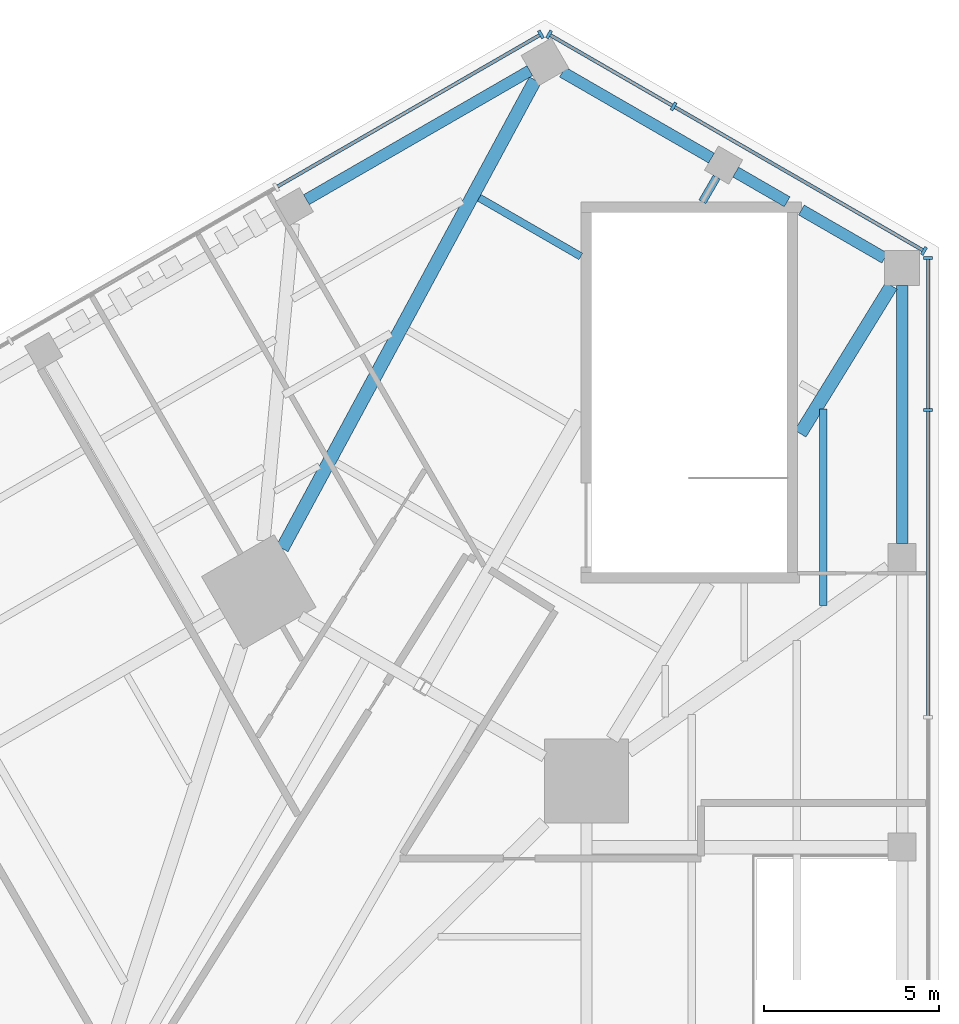
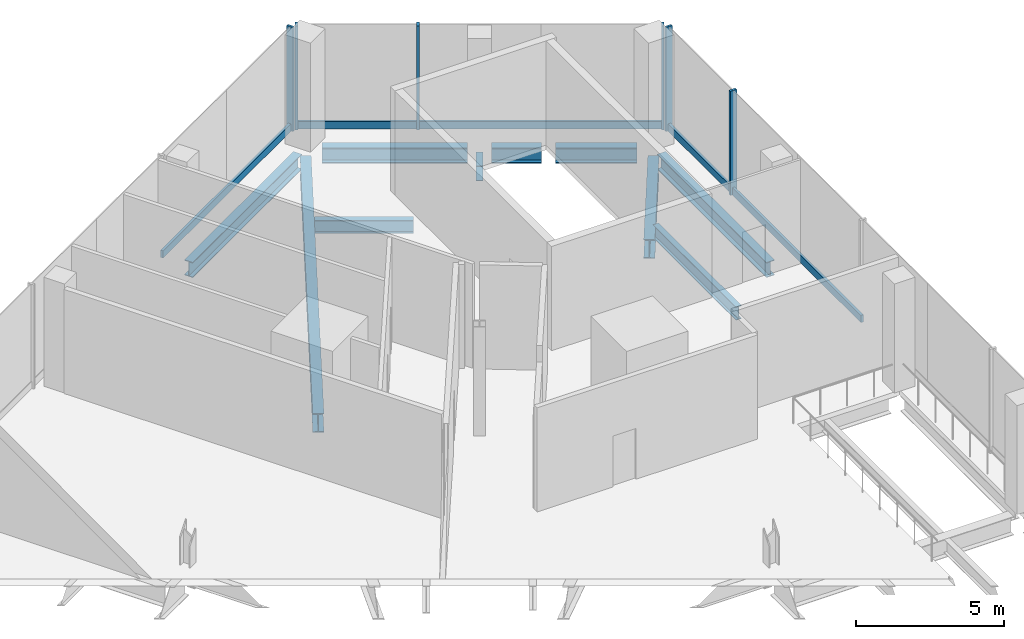
# One storey, part 15 of 25: 11 members, 10 beams, 3 elements without a shape of their own.
"""IFC4 building model written with IfcOpenShell, lengths in metres."""

from ifc_helpers import new_model, si_unit, direction, frame, origin, origin_2d, place, context, subcontext, project, spatial, rectangle, i_section, extrude, source, transform, mapped, material, material_profile, profile_set, type_object, element, aggregate, save


model = new_model("IFC4")

# Units and contexts
model_context = context("Model", 3, precision=1e-05, world=origin(), true_north=direction((0.0, 1.0)))
body_context = subcontext(model_context, "Body", "Model", "MODEL_VIEW")
ifc_project = project(units=[si_unit("LENGTHUNIT", "METRE"), si_unit("AREAUNIT", "SQUARE_METRE"), si_unit("VOLUMEUNIT", "CUBIC_METRE"), si_unit("PLANEANGLEUNIT", "RADIAN"), si_unit("MASSUNIT", "GRAM", prefix="KILO")], contexts=[model_context])

# Site, building, storey
site_placement = place(None, origin())
site = spatial("IfcSite", under=ifc_project, at=site_placement, CompositionType="ELEMENT")
building_placement = place(site_placement, origin())
building = spatial("IfcBuilding", under=site, at=building_placement, Name="Triune Harvest Tower", CompositionType="ELEMENT")
storey_placement = place(building_placement, frame((0.0, 0.0, 11.5)))
storey = spatial("IfcBuildingStorey", under=building, at=storey_placement, Name="L02", CompositionType="ELEMENT", Elevation=11.5)

# Beams
ifc_material_1 = material(Name="Steel ASTM A992 Gr 50", Category="steel")
ifc_material_profile_1 = material_profile(ifc_material_1, i_section(OverallWidth=0.32763671875, OverallDepth=0.62744140625, WebThickness=0.0166015625, FlangeThickness=0.027587890625, at=origin_2d()), Name="W24x146")
ifc_profile_set_1 = profile_set([ifc_material_profile_1], Name="Steel ASTM A992 Gr 50")
beam_type_1 = type_object("IfcBeamType", Name="PD-4 Podium edge beam W24x146", PredefinedType="BEAM", material=ifc_profile_set_1)
shared_shape_1 = source(origin(), body_context, "Body", "SweptSolid", [
    extrude(i_section(OverallWidth=0.32763671875, OverallDepth=0.62744140625, WebThickness=0.0166015625, FlangeThickness=0.027587890625, at=origin_2d()), origin(), (0.0, 0.0, 1.0), 7.3798828125),
])
beam_1_placement = place(storey_placement, frame((30.715087890625, 33.52001953125, -0.513671875), z_axis=(0.0, 1.0, 0.0), x_axis=(-1.0, 0.0, 0.0)))
element("IfcBeam", 1, at=beam_1_placement, inside=storey, type_object=beam_type_1, Name="beam/L02/PE10", PredefinedType="BEAM", context=body_context, shape_type="MappedRepresentation", body=[
    mapped(shared_shape_1, transform((0.0, 0.0, 0.0), scale=1.0)),
])
shared_shape_2 = source(origin(), body_context, "Body", "SweptSolid", [
    extrude(i_section(OverallWidth=0.32763671875, OverallDepth=0.62744140625, WebThickness=0.0166015625, FlangeThickness=0.027587890625, at=origin_2d()), origin(), (0.0, 0.0, 1.0), 2.75390625),
])
beam_2_placement = place(storey_placement, frame((30.215087890625, 41.688720703125, -0.513671875), z_axis=(-0.866030577522, 0.499991038717, 0.0), x_axis=(-0.499991038717, -0.866030577522, 0.0)))
element("IfcBeam", 2, at=beam_2_placement, inside=storey, type_object=beam_type_1, Name="beam/L02/PE11", PredefinedType="BEAM", context=body_context, shape_type="MappedRepresentation", body=[
    mapped(shared_shape_2, transform((0.0, 0.0, 0.0), scale=1.0)),
])
shared_shape_3 = source(origin(), body_context, "Body", "SweptSolid", [
    extrude(i_section(OverallWidth=0.32763671875, OverallDepth=0.62744140625, WebThickness=0.0166015625, FlangeThickness=0.027587890625, at=origin_2d()), origin(), (0.0, 0.0, 1.0), 1.699951171875),
])
beam_3_placement = place(storey_placement, frame((27.42431640625, 43.300048828125, -0.513671875), z_axis=(-0.866087547558, 0.499892348375, 0.0), x_axis=(-0.499892348375, -0.866087547558, 0.0)))
element("IfcBeam", 3, at=beam_3_placement, inside=storey, type_object=beam_type_1, Name="beam/L02/PE12", PredefinedType="BEAM", context=body_context, shape_type="MappedRepresentation", body=[
    mapped(shared_shape_3, transform((0.0, 0.0, 0.0), scale=1.0)),
])
shared_shape_4 = source(origin(), body_context, "Body", "SweptSolid", [
    extrude(i_section(OverallWidth=0.32763671875, OverallDepth=0.62744140625, WebThickness=0.0166015625, FlangeThickness=0.027587890625, at=origin_2d()), origin(), (0.0, 0.0, 1.0), 4.922607421875),
])
beam_4_placement = place(storey_placement, frame((25.259033203125, 44.550048828125, -0.513671875), z_axis=(-0.866040230151, 0.499974319101, 0.0), x_axis=(-0.499974319101, -0.866040230151, 0.0)))
element("IfcBeam", 4, at=beam_4_placement, inside=storey, type_object=beam_type_1, Name="beam/L02/PE13", PredefinedType="BEAM", context=body_context, shape_type="MappedRepresentation", body=[
    mapped(shared_shape_4, transform((0.0, 0.0, 0.0), scale=1.0)),
])
shared_shape_5 = source(origin(), body_context, "Body", "SweptSolid", [
    extrude(i_section(OverallWidth=0.32763671875, OverallDepth=0.62744140625, WebThickness=0.0166015625, FlangeThickness=0.027587890625, at=origin_2d()), origin(), (0.0, 0.0, 1.0), 7.380126953125),
])
beam_5_placement = place(storey_placement, frame((20.06298828125, 47.050048828125, -0.513671875), z_axis=(-0.866031888401, -0.499988768146, 0.0), x_axis=(0.499988768146, -0.866031888401, 0.0)))
element("IfcBeam", 5, at=beam_5_placement, inside=storey, type_object=beam_type_1, Name="beam/L02/PE14", PredefinedType="BEAM", context=body_context, shape_type="MappedRepresentation", body=[
    mapped(shared_shape_5, transform((0.0, 0.0, 0.0), scale=1.0)),
])
ifc_material_2 = material(Name="Steel ASTM A992 Gr 50", Category="steel")
ifc_material_profile_2 = material_profile(ifc_material_2, i_section(OverallWidth=0.381103515625, OverallDepth=0.772216796875, WebThickness=0.0166015625, FlangeThickness=0.027099609375, at=origin_2d()), Name="W30x173")
ifc_profile_set_2 = profile_set([ifc_material_profile_2], Name="Steel ASTM A992 Gr 50")
beam_type_2 = type_object("IfcBeamType", Name="PD-3 Podium girder W30x173", PredefinedType="BEAM", material=ifc_profile_set_2)
shared_shape_6 = source(origin(), body_context, "Body", "SweptSolid", [
    extrude(i_section(OverallWidth=0.381103515625, OverallDepth=0.772216796875, WebThickness=0.0166015625, FlangeThickness=0.027099609375, at=origin_2d()), origin(), (0.0, 0.0, 1.0), 4.97119140625),
])
beam_6_placement = place(storey_placement, frame((30.406982421875, 40.89990234375, -0.586181640625), z_axis=(-0.524420727845, -0.851459276892, 0.0), x_axis=(0.851459276892, -0.524420727845, 0.0)))
element("IfcBeam", 6, at=beam_6_placement, inside=storey, type_object=beam_type_2, Name="beam/L02/PR12", PredefinedType="BEAM", context=body_context, shape_type="MappedRepresentation", body=[
    mapped(shared_shape_6, transform((0.0, 0.0, 0.0), scale=1.0)),
])
ifc_material_3 = material(Name="Steel ASTM A992 Gr 50", Category="steel")
ifc_material_profile_3 = material_profile(ifc_material_3, i_section(OverallWidth=0.22900390625, OverallDepth=0.612060546875, WebThickness=0.011962890625, FlangeThickness=0.01953125, at=origin_2d()), Name="W24x84")
ifc_profile_set_3 = profile_set([ifc_material_profile_3], Name="Steel ASTM A992 Gr 50")
beam_type_3 = type_object("IfcBeamType", Name="PD-7 Podium short girder W24x84", PredefinedType="BEAM", material=ifc_profile_set_3)
shared_shape_7 = source(origin(), body_context, "Body", "SweptSolid", [
    extrude(i_section(OverallWidth=0.22900390625, OverallDepth=0.612060546875, WebThickness=0.011962890625, FlangeThickness=0.01953125, at=origin_2d()), origin(), (0.0, 0.0, 1.0), 0.8125),
])
beam_7_placement = place(storey_placement, frame((25.405517578125, 44.003662109375, -0.506103515625), z_axis=(-0.500017246033, -0.866015446554, 0.0), x_axis=(0.866015446554, -0.500017246033, 0.0)))
element("IfcBeam", 7, at=beam_7_placement, inside=storey, type_object=beam_type_3, Name="beam/L02/PR14", PredefinedType="BEAM", context=body_context, shape_type="MappedRepresentation", body=[
    mapped(shared_shape_7, transform((0.0, 0.0, 0.0), scale=1.0)),
])
shared_shape_8 = source(origin(), body_context, "Body", "SweptSolid", [
    extrude(i_section(OverallWidth=0.381103515625, OverallDepth=0.772216796875, WebThickness=0.0166015625, FlangeThickness=0.027099609375, at=origin_2d()), origin(), (0.0, 0.0, 1.0), 15.232666015625),
])
beam_8_placement = place(storey_placement, frame((20.216796875, 46.783203125, -0.586181640625), z_axis=(-0.475168024555, -0.879895078086, 0.0), x_axis=(0.879895078086, -0.475168024555, 0.0)))
element("IfcBeam", 8, at=beam_8_placement, inside=storey, type_object=beam_type_2, Name="beam/L02/PR16", PredefinedType="BEAM", context=body_context, shape_type="MappedRepresentation", body=[
    mapped(shared_shape_8, transform((0.0, 0.0, 0.0), scale=1.0)),
])
ifc_material_4 = material(Name="Steel ASTM A992 Gr 50", Category="steel")
ifc_material_profile_4 = material_profile(ifc_material_4, i_section(OverallWidth=0.2138671875, OverallDepth=0.548583984375, WebThickness=0.0146484375, FlangeThickness=0.023681640625, at=origin_2d()), Name="W21x93")
ifc_profile_set_4 = profile_set([ifc_material_profile_4], Name="Steel ASTM A992 Gr 50")
beam_type_4 = type_object("IfcBeamType", Name="PD-5 Podium joist W21x93", PredefinedType="JOIST", material=ifc_profile_set_4)
shared_shape_9 = source(origin(), body_context, "Body", "SweptSolid", [
    extrude(i_section(OverallWidth=0.2138671875, OverallDepth=0.548583984375, WebThickness=0.0146484375, FlangeThickness=0.023681640625, at=origin_2d()), origin(), (0.0, 0.0, 1.0), 5.613525390625),
])
beam_9_placement = place(storey_placement, frame((28.456298828125, 31.755859375, -0.474365234375), z_axis=(0.0, 1.0, 0.0), x_axis=(-1.0, 0.0, 0.0)))
element("IfcBeam", 9, at=beam_9_placement, inside=storey, type_object=beam_type_4, Name="beam/L02/PJ20", PredefinedType="JOIST", context=body_context, shape_type="MappedRepresentation", body=[
    mapped(shared_shape_9, transform((0.0, 0.0, 0.0), scale=1.0)),
])
shared_shape_10 = source(origin(), body_context, "Body", "SweptSolid", [
    extrude(i_section(OverallWidth=0.2138671875, OverallDepth=0.548583984375, WebThickness=0.0146484375, FlangeThickness=0.023681640625, at=origin_2d()), origin(), (0.0, 0.0, 1.0), 3.355224609375),
])
beam_10_placement = place(storey_placement, frame((21.52001953125, 41.737060546875, -0.474365234375), z_axis=(-0.866013522419, 0.500020578564, 0.0), x_axis=(-0.500020578564, -0.866013522419, 0.0)))
element("IfcBeam", 10, at=beam_10_placement, inside=storey, type_object=beam_type_4, Name="beam/L02/PJ25", PredefinedType="JOIST", context=body_context, shape_type="MappedRepresentation", body=[
    mapped(shared_shape_10, transform((0.0, 0.0, 0.0), scale=1.0)),
])

# Curtain wall, member
ifc_material_5 = material(Name="Aluminium bronze anodised", Category="aluminium")
curtain_wall_type = type_object("IfcCurtainWallType", Name="CW-2 Podium shopfront wall", PredefinedType="NOTDEFINED", material=ifc_material_5)
curtain_wall_1_placement = place(storey_placement, origin())
curtain_wall_1 = element("IfcCurtainWall", 11, at=curtain_wall_1_placement, inside=storey, type_object=curtain_wall_type, Name="CW-2 PD-F2 L02 run 1")
ifc_material_6 = material(Name="Aluminium bronze anodised", Category="aluminium")
ifc_material_profile_5 = material_profile(ifc_material_6, rectangle(XDim=0.10009765625, YDim=0.300048828125, at=origin_2d()), Name="TR-2 transom 100 x 300")
ifc_profile_set_5 = profile_set([ifc_material_profile_5], Name="Aluminium bronze anodised")
member_type_1 = type_object("IfcMemberType", Name="TR-2 transom 100 x 300", PredefinedType="USERDEFINED", material=ifc_profile_set_5)
shared_shape_11 = source(origin(), body_context, "Body", "SweptSolid", [
    extrude(rectangle(XDim=0.10009765625, YDim=0.300048828125, at=origin_2d()), origin(), (0.0, 0.0, 1.0), 8.1806640625),
])
member_1_placement = place(storey_placement, frame((31.29833984375, 41.916748046875, 0.14990234375), z_axis=(-0.866027050914, 0.499997147077, 0.0), x_axis=(-0.499997147077, -0.866027050914, 0.0)))
member_1 = element("IfcMember", 12, at=member_1_placement, type_object=member_type_1, Name="CW-2 transom PD-F2 1.1", ObjectType="TRANSOM", PredefinedType="USERDEFINED", context=body_context, shape_type="MappedRepresentation", body=[
    mapped(shared_shape_11, transform((0.0, 0.0, 0.0), scale=1.0)),
])

# Curtain wall, members
curtain_wall_2_placement = place(storey_placement, origin())
curtain_wall_2 = element("IfcCurtainWall", 13, at=curtain_wall_2_placement, inside=storey, type_object=curtain_wall_type, Name="CW-2 PD-F1 L02 run 1")
ifc_material_7 = material(Name="Aluminium bronze anodised", Category="aluminium")
ifc_material_profile_6 = material_profile(ifc_material_7, rectangle(XDim=0.25, YDim=0.090087890625, at=origin_2d()), Name="MU-2 mullion 90 x 250")
ifc_profile_set_6 = profile_set([ifc_material_profile_6], Name="Aluminium bronze anodised")
member_type_2 = type_object("IfcMemberType", Name="MU-2 mullion 90 x 250", PredefinedType="MULLION", material=ifc_profile_set_6)
shared_shape_12 = source(origin(), body_context, "Body", "SweptSolid", [
    extrude(rectangle(XDim=0.25, YDim=0.090087890625, at=origin_2d()), origin(), (0.0, 0.0, 1.0), 4.300048828125),
])
member_2_placement = place(storey_placement, frame((31.454345703125, 37.343505859375, 0.0), z_axis=(0.0, 0.0, 1.0), x_axis=(-1.0, 0.0, 0.0)))
member_2 = element("IfcMember", 14, at=member_2_placement, type_object=member_type_2, Name="CW-2 mullion PD-F1 1.19", PredefinedType="MULLION", context=body_context, shape_type="MappedRepresentation", body=[
    mapped(shared_shape_12, transform((0.0, 0.0, 0.0), scale=1.0)),
])
member_3_placement = place(storey_placement, frame((31.454345703125, 41.69189453125, 0.0), z_axis=(0.0, 0.0, 1.0), x_axis=(-1.0, 0.0, 0.0)))
member_3 = element("IfcMember", 15, at=member_3_placement, type_object=member_type_2, Name="CW-2 mullion PD-F1 1.20", PredefinedType="MULLION", context=body_context, shape_type="MappedRepresentation", body=[
    mapped(shared_shape_12, transform((0.0, 0.0, 0.0), scale=1.0)),
])

# Member
member_4_placement = place(storey_placement, frame((31.33740234375, 41.894287109375, 0.0), z_axis=(0.0, 0.0, 1.0), x_axis=(-0.49999791425, -0.866026607989, 0.0)))
member_4 = element("IfcMember", 16, at=member_4_placement, type_object=member_type_2, Name="CW-2 mullion PD-F2 1.1", PredefinedType="MULLION", context=body_context, shape_type="MappedRepresentation", body=[
    mapped(shared_shape_12, transform((0.0, 0.0, 0.0), scale=1.0)),
])

member_5_placement = place(storey_placement, frame((24.174560546875, 46.02978515625, 0.0), z_axis=(0.0, 0.0, 1.0), x_axis=(-0.49999791425, -0.866026607989, 0.0)))
member_5 = element("IfcMember", 17, at=member_5_placement, type_object=member_type_2, Name="CW-2 mullion PD-F2 1.3", PredefinedType="MULLION", context=body_context, shape_type="MappedRepresentation", body=[
    mapped(shared_shape_12, transform((0.0, 0.0, 0.0), scale=1.0)),
])

member_6_placement = place(storey_placement, frame((20.61279296875, 48.086181640625, 0.0), z_axis=(0.0, 0.0, 1.0), x_axis=(-0.49999791425, -0.866026607989, 0.0)))
member_6 = element("IfcMember", 18, at=member_6_placement, type_object=member_type_2, Name="CW-2 mullion PD-F2 1.4", PredefinedType="MULLION", context=body_context, shape_type="MappedRepresentation", body=[
    mapped(shared_shape_12, transform((0.0, 0.0, 0.0), scale=1.0)),
])

# Curtain wall, member
curtain_wall_3_placement = place(storey_placement, origin())
curtain_wall_3 = element("IfcCurtainWall", 19, at=curtain_wall_3_placement, inside=storey, type_object=curtain_wall_type, Name="CW-2 PD-F3 L02 run 1")
member_7_placement = place(storey_placement, frame((20.37890625, 48.086181640625, 0.0), z_axis=(0.0, 0.0, 1.0), x_axis=(0.500000221117, -0.866025276122, 0.0)))
member_7 = element("IfcMember", 20, at=member_7_placement, type_object=member_type_2, Name="CW-2 mullion PD-F3 1.1", PredefinedType="MULLION", context=body_context, shape_type="MappedRepresentation", body=[
    mapped(shared_shape_12, transform((0.0, 0.0, 0.0), scale=1.0)),
])

# Member
shared_shape_13 = source(origin(), body_context, "Body", "SweptSolid", [
    extrude(rectangle(XDim=0.10009765625, YDim=0.300048828125, at=origin_2d()), origin(), (0.0, 0.0, 1.0), 8.696533203125),
])
member_8_placement = place(storey_placement, frame((31.454345703125, 28.601806640625, 0.14990234375), z_axis=(0.0, 1.0, 0.0), x_axis=(-1.0, 0.0, 0.0)))
member_8 = element("IfcMember", 21, at=member_8_placement, type_object=member_type_1, Name="CW-2 transom PD-F1 1.9", ObjectType="TRANSOM", PredefinedType="USERDEFINED", context=body_context, shape_type="MappedRepresentation", body=[
    mapped(shared_shape_13, transform((0.0, 0.0, 0.0), scale=1.0)),
])

shared_shape_14 = source(origin(), body_context, "Body", "SweptSolid", [
    extrude(rectangle(XDim=0.10009765625, YDim=0.300048828125, at=origin_2d()), origin(), (0.0, 0.0, 1.0), 4.25830078125),
])
member_9_placement = place(storey_placement, frame((31.454345703125, 37.388427734375, 0.14990234375), z_axis=(0.0, 1.0, 0.0), x_axis=(-1.0, 0.0, 0.0)))
member_9 = element("IfcMember", 22, at=member_9_placement, type_object=member_type_1, Name="CW-2 transom PD-F1 1.10", ObjectType="TRANSOM", PredefinedType="USERDEFINED", context=body_context, shape_type="MappedRepresentation", body=[
    mapped(shared_shape_14, transform((0.0, 0.0, 0.0), scale=1.0)),
])

aggregate(curtain_wall_2, [member_2, member_3, member_8, member_9])

shared_shape_15 = source(origin(), body_context, "Body", "SweptSolid", [
    extrude(rectangle(XDim=0.10009765625, YDim=0.300048828125, at=origin_2d()), origin(), (0.0, 0.0, 1.0), 4.02294921875),
])
member_10_placement = place(storey_placement, frame((24.1357421875, 46.05224609375, 0.14990234375), z_axis=(-0.866019841608, 0.500009633848, 0.0), x_axis=(-0.500009633848, -0.866019841608, 0.0)))
member_10 = element("IfcMember", 23, at=member_10_placement, type_object=member_type_1, Name="CW-2 transom PD-F2 1.2", ObjectType="TRANSOM", PredefinedType="USERDEFINED", context=body_context, shape_type="MappedRepresentation", body=[
    mapped(shared_shape_15, transform((0.0, 0.0, 0.0), scale=1.0)),
])

aggregate(curtain_wall_1, [member_4, member_5, member_6, member_1, member_10])

shared_shape_16 = source(origin(), body_context, "Body", "SweptSolid", [
    extrude(rectangle(XDim=0.10009765625, YDim=0.300048828125, at=origin_2d()), origin(), (0.0, 0.0, 1.0), 8.65185546875),
])
member_11_placement = place(storey_placement, frame((20.340087890625, 48.063720703125, 0.14990234375), z_axis=(-0.866023934592, -0.500002544707, 0.0), x_axis=(0.500002544707, -0.866023934592, 0.0)))
member_11 = element("IfcMember", 24, at=member_11_placement, type_object=member_type_1, Name="CW-2 transom PD-F3 1.1", ObjectType="TRANSOM", PredefinedType="USERDEFINED", context=body_context, shape_type="MappedRepresentation", body=[
    mapped(shared_shape_16, transform((0.0, 0.0, 0.0), scale=1.0)),
])

aggregate(curtain_wall_3, [member_7, member_11])

save(model, "model.ifc")
